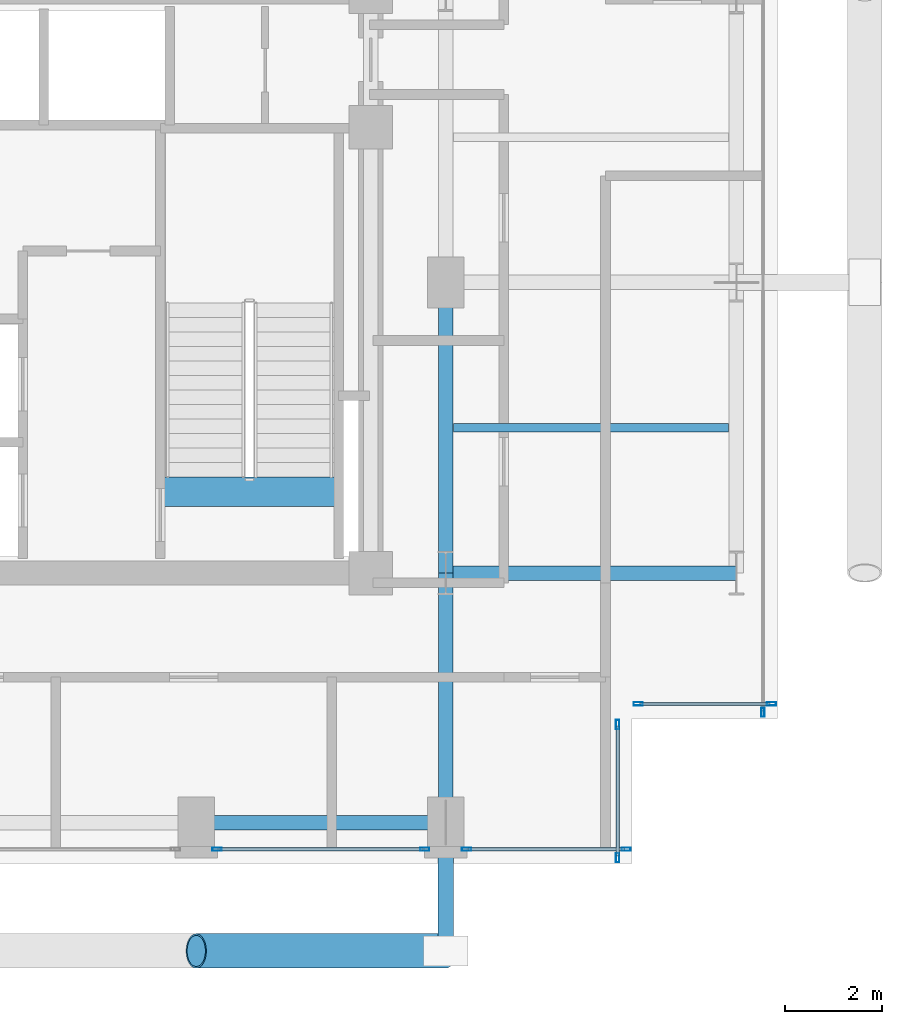
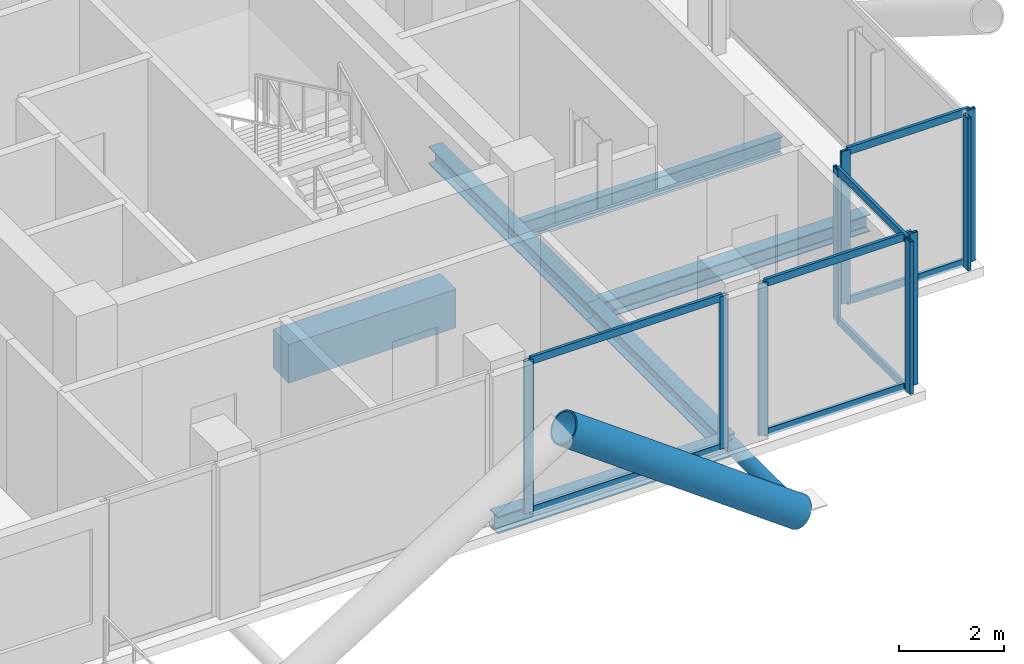
# One storey, part 10 of 22: 19 members, 6 beams, 5 elements without a shape of their own.
"""IFC4 building model written with IfcOpenShell, lengths in metres."""

from ifc_helpers import new_model, si_unit, direction, frame, origin, origin_2d, place, context, subcontext, project, spatial, rectangle, hollow_rectangle, hollow_circle, i_section, extrude, material, layer, layer_set, material_profile, profile_set, type_object, element, aggregate, save


model = new_model("IFC4")

# Units and contexts
model_context = context("Model", 3, precision=1e-05, world=origin(), true_north=direction((0.0, 1.0)))
body_context = subcontext(model_context, "Body", "Model", "MODEL_VIEW")
ifc_project = project(units=[si_unit("LENGTHUNIT", "METRE"), si_unit("AREAUNIT", "SQUARE_METRE"), si_unit("VOLUMEUNIT", "CUBIC_METRE"), si_unit("PLANEANGLEUNIT", "RADIAN"), si_unit("MASSUNIT", "GRAM", prefix="KILO"), si_unit("THERMODYNAMICTEMPERATUREUNIT", "KELVIN"), si_unit("POWERUNIT", "WATT")], contexts=[model_context])

# Site, building, storey
site_placement = place(None, origin())
site = spatial("IfcSite", under=ifc_project, at=site_placement, CompositionType="ELEMENT")
building_placement = place(site_placement, origin())
building = spatial("IfcBuilding", under=site, at=building_placement, Name="Svarakhadi Broadcast Tower", CompositionType="ELEMENT")
storey_placement = place(building_placement, frame((0.0, 0.0, 176.699951171875)))
storey = spatial("IfcBuildingStorey", under=building, at=storey_placement, Name="L43", CompositionType="ELEMENT", Elevation=176.699951171875)

# Beam
ifc_material_1 = material(Name="Steel S355J2 (IS 2062 E350C)", Category="steel")
ifc_material_profile_1 = material_profile(ifc_material_1, i_section(OverallWidth=0.179931640625, OverallDepth=0.39990234375, WebThickness=0.008544921875, FlangeThickness=0.013427734375, FilletRadius=0.02099609375, at=origin_2d()), Name="NPB 400x180x66")
ifc_profile_set_1 = profile_set([ifc_material_profile_1], Name="Steel S355J2 (IS 2062 E350C)")
beam_type_1 = type_object("IfcBeamType", Name="Beam_NPB400", PredefinedType="BEAM", material=ifc_profile_set_1)
beam_1_placement = place(storey_placement, frame((35.31005859375, 9.0, -0.409912109375), z_axis=(1.0, 0.0, 0.0), x_axis=(0.0, 1.0, 0.0)))
element("IfcBeam", 1, at=beam_1_placement, inside=storey, type_object=beam_type_1, Name="L43 Secondary Composite Beam SB016", PredefinedType="BEAM", context=body_context, shape_type="SweptSolid", body=[
    extrude(i_section(OverallWidth=0.179931640625, OverallDepth=0.39990234375, WebThickness=0.008544921875, FlangeThickness=0.013427734375, FilletRadius=0.02099609375, at=origin_2d()), origin(), (0.0, 0.0, 1.0), 5.679931640625),
])

# Curtain wall, member
ifc_material_2 = material(Name="Anodised Bronze Aluminium AA 6063-T6", Category="aluminium")
ifc_layer = layer(ifc_material_2, 0.18994140625)
ifc_layer_set = layer_set([ifc_layer], Name="Anodised Bronze Aluminium AA 6063-T6")
curtain_wall_type = type_object("IfcCurtainWallType", Name="CW_Sys_04", PredefinedType="NOTDEFINED", material=ifc_layer_set)
curtain_wall_1_placement = place(storey_placement, origin())
curtain_wall_1 = element("IfcCurtainWall", 2, at=curtain_wall_1_placement, inside=storey, type_object=curtain_wall_type, Name="L43 Unitised Facade Curtain Wall 13", PredefinedType="NOTDEFINED")
ifc_material_profile_2 = material_profile(ifc_material_2, hollow_rectangle(XDim=0.070068359375, YDim=0.18994140625, WallThickness=0.005615234375, at=origin_2d()), Name="ALU MULLION 190x70x6")
ifc_profile_set_2 = profile_set([ifc_material_profile_2], Name="Anodised Bronze Aluminium AA 6063-T6")
member_type_1 = type_object("IfcMemberType", Name="CW_Sys_04_Mul", PredefinedType="MULLION", material=ifc_profile_set_2)
member_1_placement = place(storey_placement, frame((41.699951171875, 3.125, 0.0), z_axis=(0.0, 0.0, 1.0), x_axis=(1.0, 0.0, 0.0)))
member_1 = element("IfcMember", 3, at=member_1_placement, type_object=member_type_1, Name="CW-04 mullion 2", PredefinedType="MULLION", context=body_context, shape_type="SweptSolid", body=[
    extrude(hollow_rectangle(XDim=0.070068359375, YDim=0.18994140625, WallThickness=0.005615234375, at=origin_2d()), origin(), (0.0, 0.0, 1.0), 3.5400390625),
])
aggregate(curtain_wall_1, [member_1])

# Curtain wall, members
curtain_wall_2_placement = place(storey_placement, origin())
curtain_wall_2 = element("IfcCurtainWall", 4, at=curtain_wall_2_placement, inside=storey, type_object=curtain_wall_type, Name="L43 Unitised Facade Curtain Wall 14", PredefinedType="NOTDEFINED")
member_2_placement = place(storey_placement, frame((41.875, 3.300048828125, 0.0), z_axis=(0.0, 0.0, 1.0), x_axis=(0.0, -1.0, 0.0)))
member_2 = element("IfcMember", 5, at=member_2_placement, type_object=member_type_1, Name="CW-04 mullion 1", PredefinedType="MULLION", context=body_context, shape_type="SweptSolid", body=[
    extrude(hollow_rectangle(XDim=0.070068359375, YDim=0.18994140625, WallThickness=0.005615234375, at=origin_2d()), origin(), (0.0, 0.0, 1.0), 3.5400390625),
])
member_3_placement = place(storey_placement, frame((39.125, 3.300048828125, 0.0), z_axis=(0.0, 0.0, 1.0), x_axis=(0.0, -1.0, 0.0)))
member_3 = element("IfcMember", 6, at=member_3_placement, type_object=member_type_1, Name="CW-04 mullion 2", PredefinedType="MULLION", context=body_context, shape_type="SweptSolid", body=[
    extrude(hollow_rectangle(XDim=0.070068359375, YDim=0.18994140625, WallThickness=0.005615234375, at=origin_2d()), origin(), (0.0, 0.0, 1.0), 3.5400390625),
])

curtain_wall_3_placement = place(storey_placement, origin())
curtain_wall_3 = element("IfcCurtainWall", 7, at=curtain_wall_3_placement, inside=storey, type_object=curtain_wall_type, Name="L43 Unitised Facade Curtain Wall 15", PredefinedType="NOTDEFINED")
member_4_placement = place(storey_placement, frame((38.699951171875, 2.875, 0.0), z_axis=(0.0, 0.0, 1.0), x_axis=(1.0, 0.0, 0.0)))
member_4 = element("IfcMember", 8, at=member_4_placement, type_object=member_type_1, Name="CW-04 mullion 1", PredefinedType="MULLION", context=body_context, shape_type="SweptSolid", body=[
    extrude(hollow_rectangle(XDim=0.070068359375, YDim=0.18994140625, WallThickness=0.005615234375, at=origin_2d()), origin(), (0.0, 0.0, 1.0), 3.5400390625),
])
member_5_placement = place(storey_placement, frame((38.699951171875, 0.125, 0.0), z_axis=(0.0, 0.0, 1.0), x_axis=(1.0, 0.0, 0.0)))
member_5 = element("IfcMember", 9, at=member_5_placement, type_object=member_type_1, Name="CW-04 mullion 2", PredefinedType="MULLION", context=body_context, shape_type="SweptSolid", body=[
    extrude(hollow_rectangle(XDim=0.070068359375, YDim=0.18994140625, WallThickness=0.005615234375, at=origin_2d()), origin(), (0.0, 0.0, 1.0), 3.5400390625),
])

curtain_wall_4_placement = place(storey_placement, origin())
curtain_wall_4 = element("IfcCurtainWall", 10, at=curtain_wall_4_placement, inside=storey, type_object=curtain_wall_type, Name="L43 South Curtain Wall 16 Bay 1", PredefinedType="NOTDEFINED")
member_6_placement = place(storey_placement, frame((38.875, 0.300048828125, 0.0), z_axis=(0.0, 0.0, 1.0), x_axis=(0.0, -1.0, 0.0)))
member_6 = element("IfcMember", 11, at=member_6_placement, type_object=member_type_1, Name="CW-04 mullion 1", PredefinedType="MULLION", context=body_context, shape_type="SweptSolid", body=[
    extrude(hollow_rectangle(XDim=0.070068359375, YDim=0.18994140625, WallThickness=0.005615234375, at=origin_2d()), origin(), (0.0, 0.0, 1.0), 3.5400390625),
])
member_7_placement = place(storey_placement, frame((35.580078125, 0.300048828125, 0.0), z_axis=(0.0, 0.0, 1.0), x_axis=(0.0, -1.0, 0.0)))
member_7 = element("IfcMember", 12, at=member_7_placement, type_object=member_type_1, Name="CW-04 mullion 2", PredefinedType="MULLION", context=body_context, shape_type="SweptSolid", body=[
    extrude(hollow_rectangle(XDim=0.070068359375, YDim=0.18994140625, WallThickness=0.005615234375, at=origin_2d()), origin(), (0.0, 0.0, 1.0), 3.5400390625),
])

curtain_wall_5_placement = place(storey_placement, origin())
curtain_wall_5 = element("IfcCurtainWall", 13, at=curtain_wall_5_placement, inside=storey, type_object=curtain_wall_type, Name="L43 South Curtain Wall 16 Bay 2", PredefinedType="NOTDEFINED")
member_8_placement = place(storey_placement, frame((34.719970703125, 0.300048828125, 0.0), z_axis=(0.0, 0.0, 1.0), x_axis=(0.0, -1.0, 0.0)))
member_8 = element("IfcMember", 14, at=member_8_placement, type_object=member_type_1, Name="CW-04 mullion 1", PredefinedType="MULLION", context=body_context, shape_type="SweptSolid", body=[
    extrude(hollow_rectangle(XDim=0.070068359375, YDim=0.18994140625, WallThickness=0.005615234375, at=origin_2d()), origin(), (0.0, 0.0, 1.0), 3.5400390625),
])
member_9_placement = place(storey_placement, frame((30.429931640625, 0.300048828125, 0.0), z_axis=(0.0, 0.0, 1.0), x_axis=(0.0, -1.0, 0.0)))
member_9 = element("IfcMember", 15, at=member_9_placement, type_object=member_type_1, Name="CW-04 mullion 2", PredefinedType="MULLION", context=body_context, shape_type="SweptSolid", body=[
    extrude(hollow_rectangle(XDim=0.070068359375, YDim=0.18994140625, WallThickness=0.005615234375, at=origin_2d()), origin(), (0.0, 0.0, 1.0), 3.5400390625),
])

# Member
ifc_material_profile_3 = material_profile(ifc_material_2, hollow_rectangle(XDim=0.06494140625, YDim=0.175048828125, WallThickness=0.0048828125, at=origin_2d()), Name="ALU TRANSOM 175x65x5")
ifc_profile_set_3 = profile_set([ifc_material_profile_3], Name="Anodised Bronze Aluminium AA 6063-T6")
member_type_2 = type_object("IfcMemberType", Name="CW_Sys_04_Trn", PredefinedType="USERDEFINED", material=ifc_profile_set_3)
member_10_placement = place(storey_placement, frame((41.840087890625, 3.300048828125, 0.032470703125), z_axis=(-1.0, 0.0, 0.0), x_axis=(0.0, -1.0, 0.0)))
member_10 = element("IfcMember", 16, at=member_10_placement, type_object=member_type_2, Name="CW-04 transom 1.1", ObjectType="TRANSOM", PredefinedType="USERDEFINED", context=body_context, shape_type="SweptSolid", body=[
    extrude(hollow_rectangle(XDim=0.06494140625, YDim=0.175048828125, WallThickness=0.0048828125, at=origin_2d()), origin(), (0.0, 0.0, 1.0), 2.68017578125),
])

member_11_placement = place(storey_placement, frame((41.840087890625, 3.300048828125, 3.507568359375), z_axis=(-1.0, 0.0, 0.0), x_axis=(0.0, -1.0, 0.0)))
member_11 = element("IfcMember", 17, at=member_11_placement, type_object=member_type_2, Name="CW-04 transom 1.2", ObjectType="TRANSOM", PredefinedType="USERDEFINED", context=body_context, shape_type="SweptSolid", body=[
    extrude(hollow_rectangle(XDim=0.06494140625, YDim=0.175048828125, WallThickness=0.0048828125, at=origin_2d()), origin(), (0.0, 0.0, 1.0), 2.68017578125),
])

aggregate(curtain_wall_2, [member_2, member_3, member_10, member_11])

member_12_placement = place(storey_placement, frame((38.699951171875, 2.840087890625, 0.032470703125), z_axis=(0.0, -1.0, 0.0), x_axis=(1.0, 0.0, 0.0)))
member_12 = element("IfcMember", 18, at=member_12_placement, type_object=member_type_2, Name="CW-04 transom 1.1", ObjectType="TRANSOM", PredefinedType="USERDEFINED", context=body_context, shape_type="SweptSolid", body=[
    extrude(hollow_rectangle(XDim=0.06494140625, YDim=0.175048828125, WallThickness=0.0048828125, at=origin_2d()), origin(), (0.0, 0.0, 1.0), 2.68017578125),
])

member_13_placement = place(storey_placement, frame((38.699951171875, 2.840087890625, 3.507568359375), z_axis=(0.0, -1.0, 0.0), x_axis=(1.0, 0.0, 0.0)))
member_13 = element("IfcMember", 19, at=member_13_placement, type_object=member_type_2, Name="CW-04 transom 1.2", ObjectType="TRANSOM", PredefinedType="USERDEFINED", context=body_context, shape_type="SweptSolid", body=[
    extrude(hollow_rectangle(XDim=0.06494140625, YDim=0.175048828125, WallThickness=0.0048828125, at=origin_2d()), origin(), (0.0, 0.0, 1.0), 2.68017578125),
])

aggregate(curtain_wall_3, [member_4, member_5, member_12, member_13])

member_14_placement = place(storey_placement, frame((38.840087890625, 0.300048828125, 0.032470703125), z_axis=(-1.0, 0.0, 0.0), x_axis=(0.0, -1.0, 0.0)))
member_14 = element("IfcMember", 20, at=member_14_placement, type_object=member_type_2, Name="CW-04 transom 1.1", ObjectType="TRANSOM", PredefinedType="USERDEFINED", context=body_context, shape_type="SweptSolid", body=[
    extrude(hollow_rectangle(XDim=0.06494140625, YDim=0.175048828125, WallThickness=0.0048828125, at=origin_2d()), origin(), (0.0, 0.0, 1.0), 3.22509765625),
])

member_15_placement = place(storey_placement, frame((38.840087890625, 0.300048828125, 3.507568359375), z_axis=(-1.0, 0.0, 0.0), x_axis=(0.0, -1.0, 0.0)))
member_15 = element("IfcMember", 21, at=member_15_placement, type_object=member_type_2, Name="CW-04 transom 1.2", ObjectType="TRANSOM", PredefinedType="USERDEFINED", context=body_context, shape_type="SweptSolid", body=[
    extrude(hollow_rectangle(XDim=0.06494140625, YDim=0.175048828125, WallThickness=0.0048828125, at=origin_2d()), origin(), (0.0, 0.0, 1.0), 3.22509765625),
])

aggregate(curtain_wall_4, [member_6, member_7, member_14, member_15])

member_16_placement = place(storey_placement, frame((34.68505859375, 0.300048828125, 0.032470703125), z_axis=(-1.0, 0.0, 0.0), x_axis=(0.0, -1.0, 0.0)))
member_16 = element("IfcMember", 22, at=member_16_placement, type_object=member_type_2, Name="CW-04 transom 1.1", ObjectType="TRANSOM", PredefinedType="USERDEFINED", context=body_context, shape_type="SweptSolid", body=[
    extrude(hollow_rectangle(XDim=0.06494140625, YDim=0.175048828125, WallThickness=0.0048828125, at=origin_2d()), origin(), (0.0, 0.0, 1.0), 4.219970703125),
])

member_17_placement = place(storey_placement, frame((34.68505859375, 0.300048828125, 3.507568359375), z_axis=(-1.0, 0.0, 0.0), x_axis=(0.0, -1.0, 0.0)))
member_17 = element("IfcMember", 23, at=member_17_placement, type_object=member_type_2, Name="CW-04 transom 1.2", ObjectType="TRANSOM", PredefinedType="USERDEFINED", context=body_context, shape_type="SweptSolid", body=[
    extrude(hollow_rectangle(XDim=0.06494140625, YDim=0.175048828125, WallThickness=0.0048828125, at=origin_2d()), origin(), (0.0, 0.0, 1.0), 4.219970703125),
])

aggregate(curtain_wall_5, [member_8, member_9, member_16, member_17])

# Beam
ifc_material_3 = material(Name="Concrete C50/60 (IS 456 M60)", Category="concrete")
ifc_material_profile_4 = material_profile(ifc_material_3, rectangle(XDim=0.60009765625, YDim=0.89990234375, at=origin_2d()), Name="RC 600x900")
ifc_profile_set_4 = profile_set([ifc_material_profile_4], Name="Concrete C50/60 (IS 456 M60)")
beam_type_2 = type_object("IfcBeamType", Name="Coupling_RC600", PredefinedType="USERDEFINED", material=ifc_profile_set_4)
beam_2_placement = place(storey_placement, frame((29.260009765625, 7.679931640625, -0.449951171875), z_axis=(1.0, 0.0, 0.0), x_axis=(0.0, 1.0, 0.0)))
element("IfcBeam", 24, at=beam_2_placement, inside=storey, type_object=beam_type_2, Name="L43 Stair ST-02 Landing Throat Trimmer Beam CB-01", ObjectType="GIRDER", PredefinedType="USERDEFINED", context=body_context, shape_type="SweptSolid", body=[
    extrude(rectangle(XDim=0.60009765625, YDim=0.89990234375, at=origin_2d()), origin(), (0.0, 0.0, 1.0), 3.679931640625),
])

# Members
ifc_material_4 = material(Name="Steel S460ML (IS 2062 E450BR)", Category="steel")
ifc_material_profile_5 = material_profile(ifc_material_4, hollow_circle(Radius=0.35546875, WallThickness=0.034912109375, at=origin_2d()), Name="CHS 711x35")
ifc_profile_set_5 = profile_set([ifc_material_profile_5], Name="Steel S460ML (IS 2062 E450BR)")
member_type_3 = type_object("IfcMemberType", Name="Exo_Brace_CHS711", PredefinedType="BRACE", material=ifc_profile_set_5)
member_18_placement = place(storey_placement, frame((35.14990234375, -1.800048828125, -0.371826171875), z_axis=(-0.808391243061, 0.0, 0.588645562407), x_axis=(0.0, -1.0, 0.0)))
element("IfcMember", 25, at=member_18_placement, inside=storey, type_object=member_type_3, Name="L43 Exposed Bronze Exoskeleton Diagonal S02", PredefinedType="BRACE", context=body_context, shape_type="SweptSolid", body=[
    extrude(hollow_circle(Radius=0.35546875, WallThickness=0.034912109375, at=origin_2d()), origin(), (0.0, 0.0, 1.0), 6.37060546875),
])
ifc_material_profile_6 = material_profile(ifc_material_4, hollow_circle(Radius=0.161865234375, WallThickness=0.01611328125, at=origin_2d()), Name="CHS 323.9x16")
ifc_profile_set_6 = profile_set([ifc_material_profile_6], Name="Steel S460ML (IS 2062 E450BR)")
member_type_4 = type_object("IfcMemberType", Name="Exo_Radial_Strut_Z2", PredefinedType="STRUT", material=ifc_profile_set_6)
member_19_placement = place(storey_placement, frame((35.14990234375, -1.800048828125, -0.371826171875), z_axis=(0.0, 1.0, 0.0), x_axis=(-1.0, 0.0, 0.0)))
element("IfcMember", 26, at=member_19_placement, inside=storey, type_object=member_type_4, Name="L43 Exoskeleton Radial Tie Strut S02", PredefinedType="STRUT", context=body_context, shape_type="SweptSolid", body=[
    extrude(hollow_circle(Radius=0.161865234375, WallThickness=0.01611328125, at=origin_2d()), origin(), (0.0, 0.0, 1.0), 2.650146484375),
])

# Beams
ifc_material_profile_7 = material_profile(ifc_material_1, i_section(OverallWidth=0.300048828125, OverallDepth=0.39990234375, WebThickness=0.013427734375, FlangeThickness=0.02392578125, FilletRadius=0.027099609375, at=origin_2d()), Name="WPB 400x300x155")
ifc_profile_set_7 = profile_set([ifc_material_profile_7], Name="Steel S355J2 (IS 2062 E350C)")
beam_type_3 = type_object("IfcBeamType", Name="Girder_WPB400", PredefinedType="USERDEFINED", material=ifc_profile_set_7)
beam_3_placement = place(storey_placement, frame((30.0, 0.85009765625, -0.409912109375), z_axis=(1.0, 0.0, 0.0), x_axis=(0.0, 1.0, 0.0)))
element("IfcBeam", 27, at=beam_3_placement, inside=storey, type_object=beam_type_3, Name="L43 Primary E-W Girder G008", ObjectType="GIRDER", PredefinedType="USERDEFINED", context=body_context, shape_type="SweptSolid", body=[
    extrude(i_section(OverallWidth=0.300048828125, OverallDepth=0.39990234375, WebThickness=0.013427734375, FlangeThickness=0.02392578125, FilletRadius=0.027099609375, at=origin_2d()), origin(), (0.0, 0.0, 1.0), 5.14990234375),
])
beam_4_placement = place(storey_placement, frame((35.14990234375, 6.0, -0.409912109375), z_axis=(1.0, 0.0, 0.0), x_axis=(0.0, 1.0, 0.0)))
element("IfcBeam", 28, at=beam_4_placement, inside=storey, type_object=beam_type_3, Name="L43 Primary E-W Girder G014", ObjectType="GIRDER", PredefinedType="USERDEFINED", context=body_context, shape_type="SweptSolid", body=[
    extrude(i_section(OverallWidth=0.300048828125, OverallDepth=0.39990234375, WebThickness=0.013427734375, FlangeThickness=0.02392578125, FilletRadius=0.027099609375, at=origin_2d()), origin(), (0.0, 0.0, 1.0), 6.0),
])
beam_5_placement = place(storey_placement, frame((35.14990234375, 0.85009765625, -0.409912109375), z_axis=(0.0, 1.0, 0.0), x_axis=(-1.0, 0.0, 0.0)))
element("IfcBeam", 29, at=beam_5_placement, inside=storey, type_object=beam_type_3, Name="L43 Primary N-S Girder G056", ObjectType="GIRDER", PredefinedType="USERDEFINED", context=body_context, shape_type="SweptSolid", body=[
    extrude(i_section(OverallWidth=0.300048828125, OverallDepth=0.39990234375, WebThickness=0.013427734375, FlangeThickness=0.02392578125, FilletRadius=0.027099609375, at=origin_2d()), origin(), (0.0, 0.0, 1.0), 5.14990234375),
])
beam_6_placement = place(storey_placement, frame((35.14990234375, 6.0, -0.409912109375), z_axis=(0.0, 1.0, 0.0), x_axis=(-1.0, 0.0, 0.0)))
element("IfcBeam", 30, at=beam_6_placement, inside=storey, type_object=beam_type_3, Name="L43 Primary N-S Girder G057", ObjectType="GIRDER", PredefinedType="USERDEFINED", context=body_context, shape_type="SweptSolid", body=[
    extrude(i_section(OverallWidth=0.300048828125, OverallDepth=0.39990234375, WebThickness=0.013427734375, FlangeThickness=0.02392578125, FilletRadius=0.027099609375, at=origin_2d()), origin(), (0.0, 0.0, 1.0), 6.0),
])

save(model, "model.ifc")
